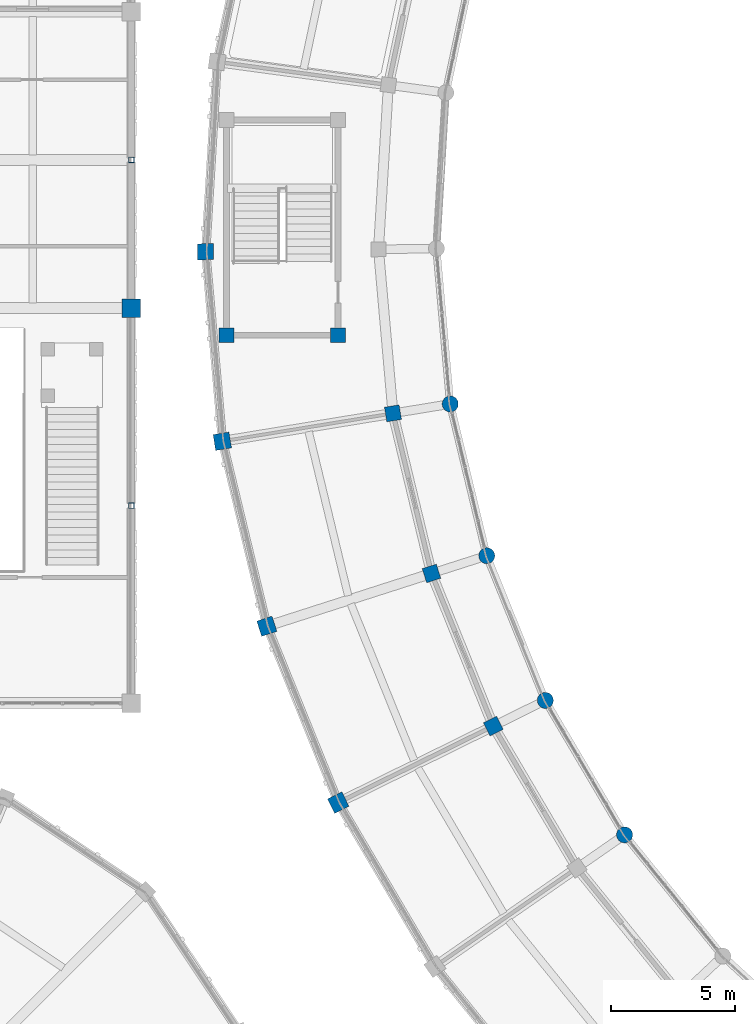
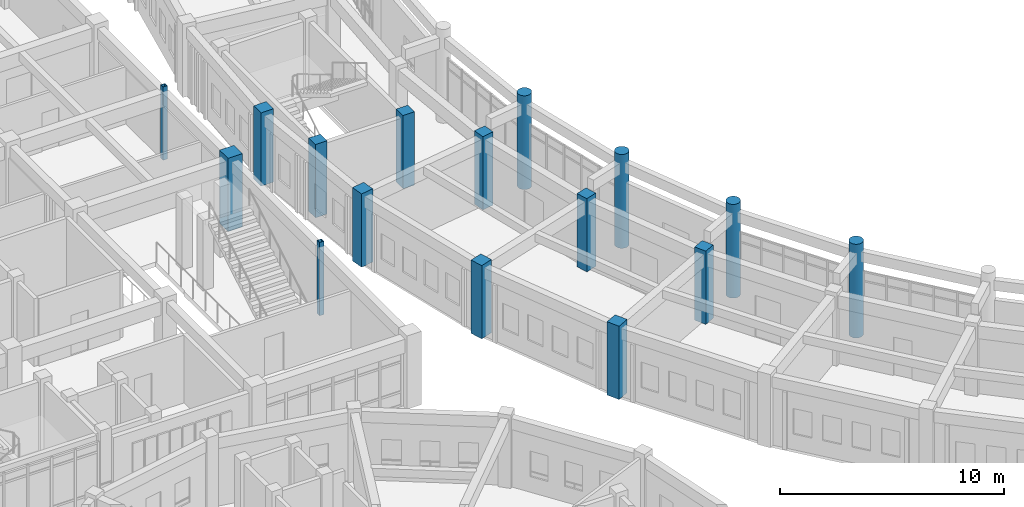
# One storey, part 3 of 159: 16 columns.
"""IFC4 building model written with IfcOpenShell, lengths in metres."""

from ifc_helpers import new_model, si_unit, direction, frame, origin, origin_2d, place, context, subcontext, project, spatial, rectangle, hollow_rectangle, circle, extrude, material, material_profile, profile_set, type_object, element, save


model = new_model("IFC4")

# Units and contexts
model_context = context("Model", 3, precision=1e-05, world=origin(), true_north=direction((0.0, 1.0)))
body_context = subcontext(model_context, "Body", "Model", "MODEL_VIEW")
ifc_project = project(units=[si_unit("LENGTHUNIT", "METRE"), si_unit("AREAUNIT", "SQUARE_METRE"), si_unit("VOLUMEUNIT", "CUBIC_METRE"), si_unit("PLANEANGLEUNIT", "RADIAN"), si_unit("MASSUNIT", "GRAM", prefix="KILO")], contexts=[model_context])

# Site, building, storey
site_placement = place(None, origin())
site = spatial("IfcSite", under=ifc_project, at=site_placement, CompositionType="ELEMENT")
building_placement = place(site_placement, origin())
building = spatial("IfcBuilding", under=site, at=building_placement, Name="Celadon Cloister-Ring School", CompositionType="ELEMENT")
storey_placement = place(building_placement, frame((0.0, 0.0, 4.5)))
storey = spatial("IfcBuildingStorey", under=building, at=storey_placement, Name="L01", CompositionType="ELEMENT", Elevation=4.5)

# Columns
ifc_material_1 = material(Name="Concrete C40/50", Category="concrete")
ifc_material_profile_1 = material_profile(ifc_material_1, rectangle(XDim=0.75, YDim=0.75, at=origin_2d()), Name="RC750X750")
ifc_profile_set_1 = profile_set([ifc_material_profile_1], Name="Concrete C40/50")
column_type_1 = type_object("IfcColumnType", Name="CT-01", PredefinedType="COLUMN", material=ifc_profile_set_1)
column_placement = place(storey_placement, frame((32.0, 56.0, 0.0), z_axis=(0.0, 0.0, 1.0), x_axis=(1.0, 0.0, 0.0)))
element("IfcColumn", 1, at=column_placement, inside=storey, type_object=column_type_1, Name="Column 1159", PredefinedType="COLUMN", context=body_context, shape_type="SweptSolid", body=[
    extrude(rectangle(XDim=0.75, YDim=0.75, at=origin_2d()), origin(), (0.0, 0.0, 1.0), 4.0),
])
ifc_material_2 = material(Name="Concrete C40/50", Category="concrete")
ifc_material_profile_2 = material_profile(ifc_material_2, rectangle(XDim=0.60009765625, YDim=0.60009765625, at=origin_2d()), Name="RC600X600")
ifc_profile_set_2 = profile_set([ifc_material_profile_2], Name="Concrete C40/50")
column_type_2 = type_object("IfcColumnType", Name="CT-04", PredefinedType="COLUMN", material=ifc_profile_set_2)
for number, where, z_axis, x_axis, name in (
    (2, (35.85009765625, 54.89990234375, 0.0), (0.0, 0.0, 1.0), (1.0, 0.0, 0.0), "Column 0034"),
    (3, (40.3701171875, 54.89990234375, 0.0), (0.0, 0.0, 1.0), (1.0, 0.0, 0.0), "Column 0038"),
    (4, (42.590087890625, 51.737060546875, 0.0), (0.0, 0.0, 1.0), (-0.986889540988, -0.161397130983, 0.0), "Column 0429"),
    (5, (44.14990234375, 45.256103515625, 0.0), (0.0, 0.0, 1.0), (-0.95221472185, -0.305429408362, 0.0), "Column 0433"),
    (6, (46.65087890625, 39.075927734375, 0.0), (0.0, 0.0, 1.0), (-0.896641036785, -0.442758231039, 0.0), "Column 0437"),
):
    element("IfcColumn", number, at=place(storey_placement, frame(where, z_axis=z_axis, x_axis=x_axis)), inside=storey, type_object=column_type_2, Name=name, PredefinedType="COLUMN", context=body_context, shape_type="SweptSolid", body=[
        extrude(rectangle(XDim=0.60009765625, YDim=0.60009765625, at=origin_2d()), origin(), (0.0, 0.0, 1.0), 4.0),
    ])
ifc_material_3 = material(Name="Concrete C40/50", Category="concrete")
ifc_material_profile_3 = material_profile(ifc_material_3, rectangle(XDim=0.64990234375, YDim=0.64990234375, at=origin_2d()), Name="RC650X650")
ifc_profile_set_3 = profile_set([ifc_material_profile_3], Name="Concrete C40/50")
column_type_3 = type_object("IfcColumnType", Name="CT-22", PredefinedType="COLUMN", material=ifc_profile_set_3)
for number, where, z_axis, x_axis, name in (
    (7, (35.0048828125, 58.281005859375, 0.0), (0.0, 0.0, 1.0), (-0.999904463751, -0.013822567474, 0.0), "Column 0569"),
    (8, (35.681884765625, 50.60693359375, 0.0), (0.0, 0.0, 1.0), (-0.986889540988, -0.161397130983, 0.0), "Column 0573"),
    (9, (37.485107421875, 43.117919921875, 0.0), (0.0, 0.0, 1.0), (-0.95221472185, -0.305429408362, 0.0), "Column 0577"),
    (10, (40.375, 35.97705078125, 0.0), (0.0, 0.0, 1.0), (-0.896641036785, -0.442758231039, 0.0), "Column 0581"),
):
    element("IfcColumn", number, at=place(storey_placement, frame(where, z_axis=z_axis, x_axis=x_axis)), inside=storey, type_object=column_type_3, Name=name, PredefinedType="COLUMN", context=body_context, shape_type="SweptSolid", body=[
        extrude(rectangle(XDim=0.64990234375, YDim=0.64990234375, at=origin_2d()), origin(), (0.0, 0.0, 1.0), 4.0),
    ])
ifc_material_4 = material(Name="Concrete C40/50", Category="concrete")
ifc_material_profile_4 = material_profile(ifc_material_4, circle(Radius=0.324951171875, at=origin_2d()), Name="CIRC650")
ifc_profile_set_4 = profile_set([ifc_material_profile_4], Name="Concrete C40/50")
column_type_4 = type_object("IfcColumnType", Name="CT-25", PredefinedType="COLUMN", material=ifc_profile_set_4)
for number, where, z_axis, x_axis, name in (
    (11, (44.908935546875, 52.115966796875, 0.0), (0.0, 0.0, 1.0), (1.0, 0.0, 0.0), "Column 0341"),
    (12, (46.387939453125, 45.972900390625, 0.0), (0.0, 0.0, 1.0), (1.0, 0.0, 0.0), "Column 0343"),
    (13, (48.758056640625, 40.115966796875, 0.0), (0.0, 0.0, 1.0), (1.0, 0.0, 0.0), "Column 0345"),
    (14, (51.968017578125, 34.674072265625, 0.0), (0.0, 0.0, 1.0), (1.0, 0.0, 0.0), "Column 0347"),
):
    element("IfcColumn", number, at=place(storey_placement, frame(where, z_axis=z_axis, x_axis=x_axis)), inside=storey, type_object=column_type_4, Name=name, PredefinedType="COLUMN", context=body_context, shape_type="SweptSolid", body=[
        extrude(circle(Radius=0.324951171875, at=origin_2d()), origin(), (0.0, 0.0, 1.0), 5.1201171875),
    ])
ifc_material_5 = material(Name="Structural steel S355JR", Category="steel")
ifc_material_profile_5 = material_profile(ifc_material_5, hollow_rectangle(XDim=0.219970703125, YDim=0.219970703125, WallThickness=0.010009765625, at=origin_2d()), Name="HSS220X220X10")
ifc_profile_set_5 = profile_set([ifc_material_profile_5], Name="Structural steel S355JR")
column_type_5 = type_object("IfcColumnType", Name="CT-26", PredefinedType="COLUMN", material=ifc_profile_set_5)
for number, where, z_axis, x_axis, name in (
    (15, (32.0, 48.0, 0.0), (0.0, 0.0, 1.0), (1.0, 0.0, 0.0), "Column 1154"),
    (16, (32.0, 62.0, 0.0), (0.0, 0.0, 1.0), (1.0, 0.0, 0.0), "Column 1164"),
):
    element("IfcColumn", number, at=place(storey_placement, frame(where, z_axis=z_axis, x_axis=x_axis)), inside=storey, type_object=column_type_5, Name=name, PredefinedType="COLUMN", context=body_context, shape_type="SweptSolid", body=[
        extrude(hollow_rectangle(XDim=0.219970703125, YDim=0.219970703125, WallThickness=0.010009765625, at=origin_2d()), origin(), (0.0, 0.0, 1.0), 4.0),
    ])

save(model, "model.ifc")
